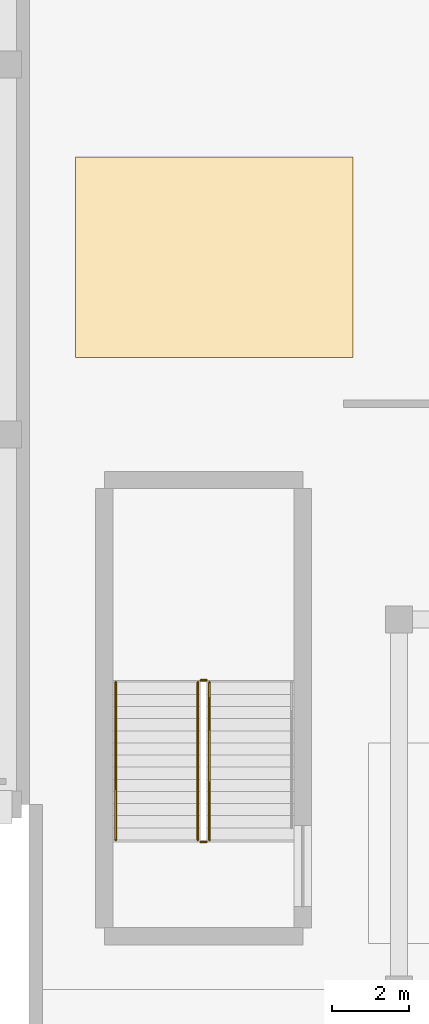
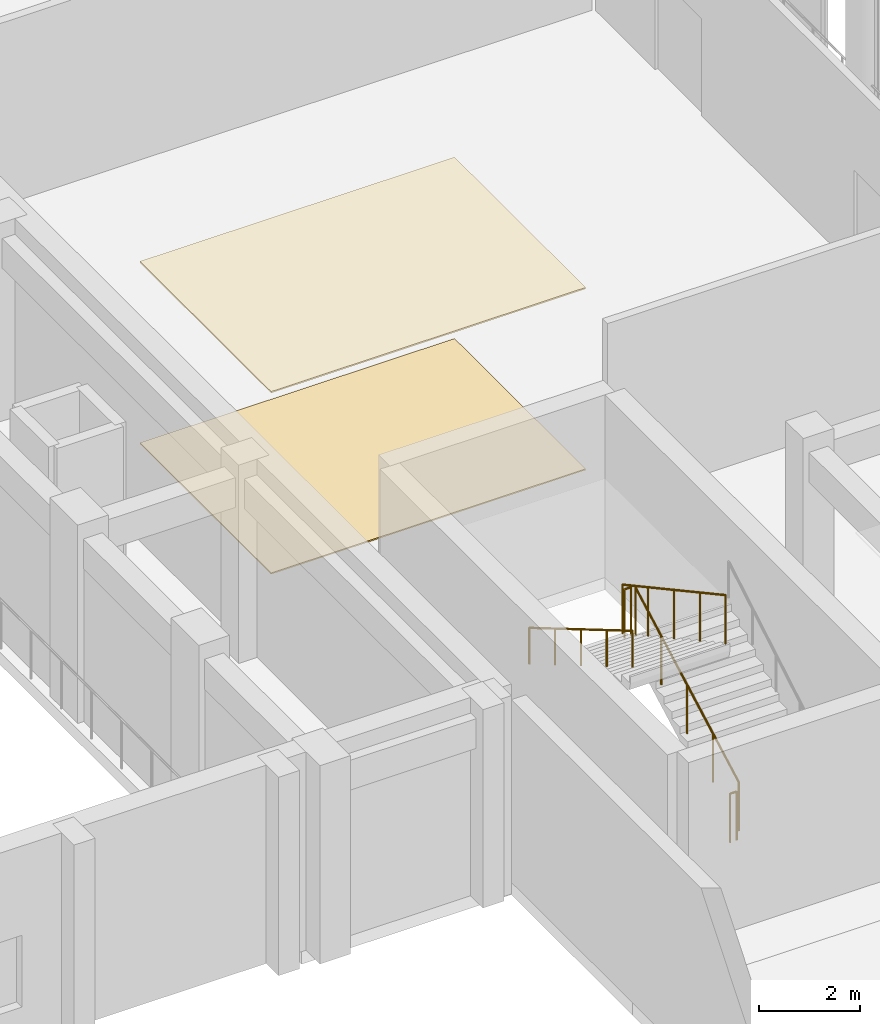
# One storey, part 118 of 133: 5 railings, 2 coverings.
"""IFC4 building model written with IfcOpenShell, lengths in metres."""

from ifc_helpers import new_model, si_unit, direction, frame, origin, origin_2d, place, context, subcontext, project, spatial, polyline, circle, outline, extrude, material, layer, layer_set, type_object, element, save


model = new_model("IFC4")

# Units and contexts
model_context = context("Model", 3, precision=1e-05, world=origin(), true_north=direction((0.0, 1.0)))
body_context = subcontext(model_context, "Body", "Model", "MODEL_VIEW")
ifc_project = project(units=[si_unit("LENGTHUNIT", "METRE"), si_unit("AREAUNIT", "SQUARE_METRE"), si_unit("VOLUMEUNIT", "CUBIC_METRE"), si_unit("PLANEANGLEUNIT", "RADIAN"), si_unit("MASSUNIT", "GRAM", prefix="KILO")], contexts=[model_context])

# Site, building, storey
site_placement = place(None, origin())
site = spatial("IfcSite", under=ifc_project, at=site_placement, CompositionType="ELEMENT")
building_placement = place(site_placement, origin())
building = spatial("IfcBuilding", under=site, at=building_placement, Name="Nakhvara Creek Congress Hotel", CompositionType="ELEMENT")
storey_placement = place(building_placement, frame((0.0, 0.0, 11.39990234375)))
storey = spatial("IfcBuildingStorey", under=building, at=storey_placement, Name="L02", CompositionType="ELEMENT", Elevation=11.39990234375)

# Coverings
ifc_material_1 = material(Name="Acoustic mineral-fibre and gypsum ceiling board")
ifc_layer_1 = layer(ifc_material_1, 0.0400390625)
ifc_layer_set_1 = layer_set([ifc_layer_1], Name="Acoustic mineral-fibre and gypsum ceiling board")
covering_type_1 = type_object("IfcCoveringType", Name="COV-CEIL-AC", PredefinedType="CEILING", material=ifc_layer_set_1)
covering_1_placement = place(storey_placement, frame((0.0, 0.0, 4.385009765625)))
element("IfcCovering", 1, at=covering_1_placement, inside=storey, type_object=covering_type_1, Name="Acoustic Ceiling L02-SM-02", PredefinedType="CEILING", context=body_context, shape_type="SweptSolid", body=[
    extrude(outline(polyline([(58.800048828125, 45.199951171875), (66.0, 45.199951171875), (66.0, 50.39990234375), (58.800048828125, 50.39990234375), (58.800048828125, 45.199951171875)])), origin(), (0.0, 0.0, 1.0), 0.03515625),
])
ifc_material_2 = material(Name="Honed limestone and terrazzo acoustic floor finish", Category="masonry")
ifc_layer_2 = layer(ifc_material_2, 0.044921875)
ifc_layer_set_2 = layer_set([ifc_layer_2], Name="Honed limestone and terrazzo acoustic floor finish")
covering_type_2 = type_object("IfcCoveringType", Name="COV-FLR-TER", PredefinedType="FLOORING", material=ifc_layer_set_2)
covering_2_placement = place(storey_placement, origin())
element("IfcCovering", 2, at=covering_2_placement, inside=storey, type_object=covering_type_2, Name="Floor Finish L02-SM-02", PredefinedType="FLOORING", context=body_context, shape_type="SweptSolid", body=[
    extrude(outline(polyline([(58.800048828125, 45.199951171875), (66.0, 45.199951171875), (66.0, 50.39990234375), (58.800048828125, 50.39990234375), (58.800048828125, 45.199951171875)])), origin(), (0.0, 0.0, 1.0), 0.030029296875),
])

# Railings
ifc_material_3 = material(Name="Brushed stainless steel 316L", Category="steel")
railing_type_1 = type_object("IfcRailingType", Name="RL-GUARD-1200", PredefinedType="GUARDRAIL", material=ifc_material_3)
railing_1_placement = place(storey_placement, frame((62.27490234375, 32.679931640625, 0.171630859375)))
element("IfcRailing", 3, at=railing_1_placement, inside=storey, type_object=railing_type_1, Name="L02 ST13 stair guard 1", PredefinedType="GUARDRAIL", context=body_context, shape_type="SweptSolid", body=[
    extrude(circle(Radius=0.02392578125, at=origin_2d()), frame((0.0, 0.012939453125, 1.182861328125), z_axis=(0.0, 0.878355465225, 0.478008029963), x_axis=(-1.0, 0.0, 0.0)), (0.0, 0.0, 1.0), 4.6328125),
    extrude(circle(Radius=0.02099609375, at=origin_2d()), origin(), (0.0, 0.0, 1.0), 1.1806640625),
    extrude(circle(Radius=0.02099609375, at=origin_2d()), frame((0.0, 1.023681640625, 0.55712890625)), (0.0, 0.0, 1.0), 1.1806640625),
    extrude(circle(Radius=0.02099609375, at=origin_2d()), frame((0.0, 2.04736328125, 1.1142578125)), (0.0, 0.0, 1.0), 1.1806640625),
    extrude(circle(Radius=0.02099609375, at=origin_2d()), frame((0.0, 3.0712890625, 1.67138671875)), (0.0, 0.0, 1.0), 1.1806640625),
    extrude(circle(Radius=0.02099609375, at=origin_2d()), frame((0.0, 4.094970703125, 2.228515625)), (0.0, 0.0, 1.0), 1.1806640625),
])
railing_2_placement = place(storey_placement, frame((62.199951171875, 36.824951171875, 2.400146484375)))
element("IfcRailing", 4, at=railing_2_placement, inside=storey, type_object=railing_type_1, Name="L02 ST13 stair guard 2", PredefinedType="GUARDRAIL", context=body_context, shape_type="SweptSolid", body=[
    extrude(circle(Radius=0.02392578125, at=origin_2d()), frame((-0.0146484375, 0.0, 1.17578125), z_axis=(-1.0, 0.0, 0.0), x_axis=(0.0, -1.0, 0.0)), (0.0, 0.0, 1.0), 0.12060546875),
    extrude(circle(Radius=0.02099609375, at=origin_2d()), origin(), (0.0, 0.0, 1.0), 1.1806640625),
    extrude(circle(Radius=0.02099609375, at=origin_2d()), frame((-0.14990234375, 0.0, 0.0)), (0.0, 0.0, 1.0), 1.1806640625),
])
railing_3_placement = place(storey_placement, frame((61.97509765625, 36.77490234375, 2.571533203125)))
element("IfcRailing", 5, at=railing_3_placement, inside=storey, type_object=railing_type_1, Name="L02 ST13 stair guard 3", PredefinedType="GUARDRAIL", context=body_context, shape_type="SweptSolid", body=[
    extrude(circle(Radius=0.02392578125, at=origin_2d()), frame((0.0, -0.012939453125, 1.182861328125), z_axis=(0.0, -0.878355465225, 0.478008029963), x_axis=(1.0, 0.0, 0.0)), (0.0, 0.0, 1.0), 4.6328125),
    extrude(circle(Radius=0.02099609375, at=origin_2d()), origin(), (0.0, 0.0, 1.0), 1.1806640625),
    extrude(circle(Radius=0.02099609375, at=origin_2d()), frame((0.0, -1.023681640625, 0.55712890625)), (0.0, 0.0, 1.0), 1.1806640625),
    extrude(circle(Radius=0.02099609375, at=origin_2d()), frame((0.0, -2.04736328125, 1.1142578125)), (0.0, 0.0, 1.0), 1.1806640625),
    extrude(circle(Radius=0.02099609375, at=origin_2d()), frame((0.0, -3.0712890625, 1.67138671875)), (0.0, 0.0, 1.0), 1.1806640625),
    extrude(circle(Radius=0.02099609375, at=origin_2d()), frame((0.0, -4.094970703125, 2.228515625)), (0.0, 0.0, 1.0), 1.1806640625),
])
railing_4_placement = place(storey_placement, frame((62.199951171875, 32.6298828125, 0.0)))
element("IfcRailing", 6, at=railing_4_placement, inside=storey, type_object=railing_type_1, Name="L02 ST13 stair guard 4", PredefinedType="GUARDRAIL", context=body_context, shape_type="SweptSolid", body=[
    extrude(circle(Radius=0.02392578125, at=origin_2d()), frame((-0.0146484375, 0.0, 1.17578125), z_axis=(-1.0, 0.0, 0.0), x_axis=(0.0, -1.0, 0.0)), (0.0, 0.0, 1.0), 0.12060546875),
    extrude(circle(Radius=0.02099609375, at=origin_2d()), origin(), (0.0, 0.0, 1.0), 1.1806640625),
    extrude(circle(Radius=0.02099609375, at=origin_2d()), frame((-0.14990234375, 0.0, 0.0)), (0.0, 0.0, 1.0), 1.1806640625),
])
railing_type_2 = type_object("IfcRailingType", Name="RL-HAND-900", PredefinedType="HANDRAIL", material=ifc_material_3)
railing_5_placement = place(storey_placement, frame((59.844970703125, 36.77490234375, 2.571533203125)))
element("IfcRailing", 7, at=railing_5_placement, inside=storey, type_object=railing_type_2, Name="L02 ST13 stair handrail 2", PredefinedType="HANDRAIL", context=body_context, shape_type="SweptSolid", body=[
    extrude(circle(Radius=0.02392578125, at=origin_2d()), frame((0.0, -0.0126953125, 0.88330078125), z_axis=(0.0, -0.861742646415, 0.507345652736), x_axis=(1.0, 0.0, 0.0)), (0.0, 0.0, 1.0), 4.72265625),
    extrude(circle(Radius=0.02099609375, at=origin_2d()), origin(), (0.0, 0.0, 1.0), 0.880615234375),
    extrude(circle(Radius=0.02099609375, at=origin_2d()), frame((0.0, -1.023681640625, 0.602783203125)), (0.0, 0.0, 1.0), 0.880615234375),
    extrude(circle(Radius=0.02099609375, at=origin_2d()), frame((0.0, -2.04736328125, 1.20556640625)), (0.0, 0.0, 1.0), 0.880615234375),
    extrude(circle(Radius=0.02099609375, at=origin_2d()), frame((0.0, -3.0712890625, 1.80810546875)), (0.0, 0.0, 1.0), 0.880615234375),
    extrude(circle(Radius=0.02099609375, at=origin_2d()), frame((0.0, -4.094970703125, 2.410888671875)), (0.0, 0.0, 1.0), 0.880615234375),
])

save(model, "model.ifc")
